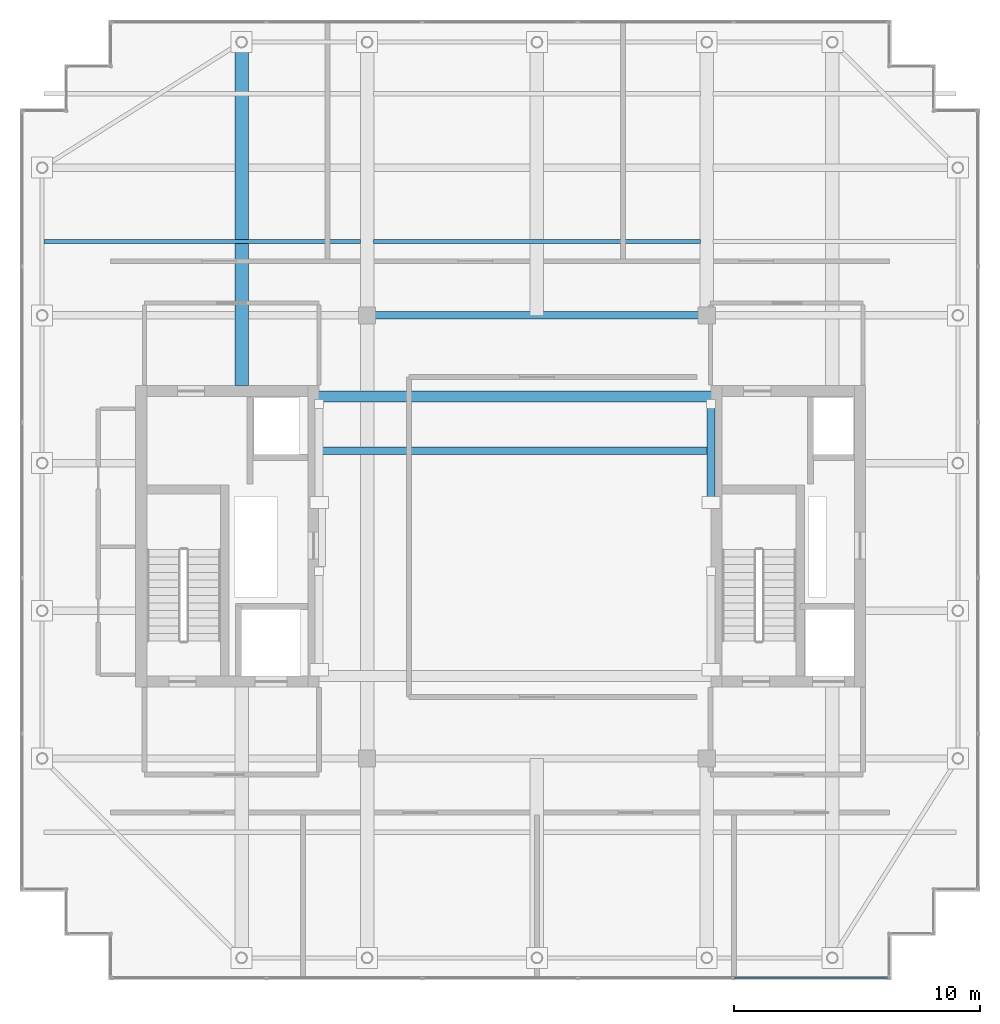
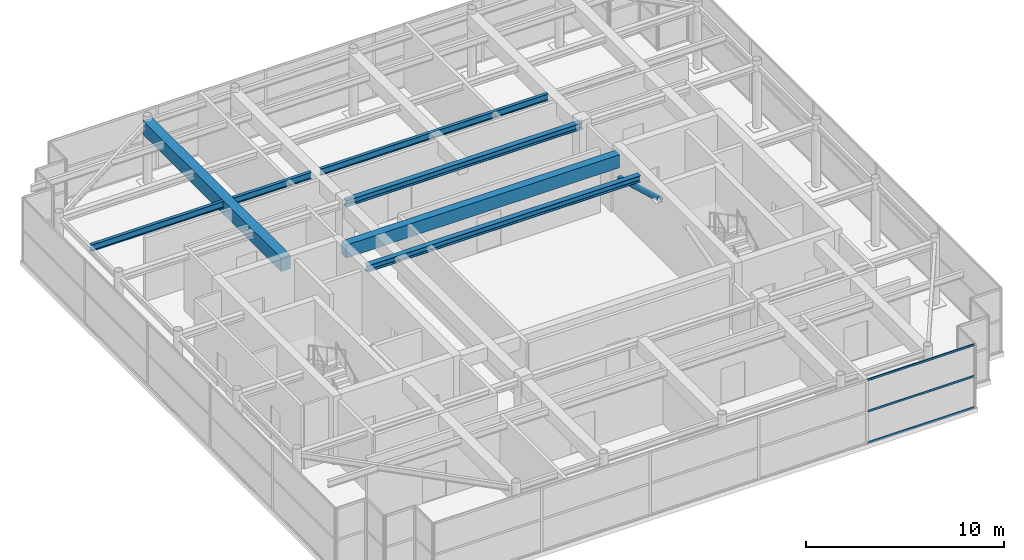
# One storey, part 14 of 32: 6 beams, 4 members, 1 element without a shape of its own.
"""IFC4 building model written with IfcOpenShell, lengths in metres."""

from ifc_helpers import new_model, si_unit, direction, frame, origin, origin_2d, place, context, subcontext, project, spatial, rectangle, hollow_rectangle, hollow_circle, i_section, extrude, source, transform, mapped, material, layer, layer_set, material_profile, profile_set, type_object, element, aggregate, save


model = new_model("IFC4")

# Units and contexts
model_context = context("Model", 3, precision=1e-05, world=origin(), true_north=direction((0.0, 1.0)))
body_context = subcontext(model_context, "Body", "Model", "MODEL_VIEW")
ifc_project = project(units=[si_unit("LENGTHUNIT", "METRE"), si_unit("AREAUNIT", "SQUARE_METRE"), si_unit("VOLUMEUNIT", "CUBIC_METRE"), si_unit("PLANEANGLEUNIT", "RADIAN"), si_unit("MASSUNIT", "GRAM", prefix="KILO")], contexts=[model_context])

# Site, building, storey
site_placement = place(None, origin())
site = spatial("IfcSite", under=ifc_project, at=site_placement, CompositionType="ELEMENT")
building_placement = place(site_placement, origin())
building = spatial("IfcBuilding", under=site, at=building_placement, Name="Khoralis Quay Care Tower", CompositionType="ELEMENT")
storey_placement = place(building_placement, frame((0.0, 0.0, 293.699951171875)))
storey = spatial("IfcBuildingStorey", under=building, at=storey_placement, Name="L77", CompositionType="ELEMENT", Elevation=293.699951171875)

# Beams
ifc_material_1 = material(Name="Concrete C50/60", Category="concrete")
ifc_material_profile_1 = material_profile(ifc_material_1, rectangle(XDim=0.449951171875, YDim=0.800048828125, at=origin_2d()), Name="Concrete C50/60")
ifc_profile_set_1 = profile_set([ifc_material_profile_1], Name="Concrete C50/60")
beam_type_1 = type_object("IfcBeamType", Name="CB-RC450X800", PredefinedType="LINTEL", material=ifc_profile_set_1)
shared_shape_1 = source(origin(), body_context, "Body", "SweptSolid", [
    extrude(rectangle(XDim=0.449951171875, YDim=0.800048828125, at=origin_2d()), origin(), (0.0, 0.0, 1.0), 15.97998046875),
])
beam_1_placement = place(storey_placement, frame((15.1201171875, 26.699951171875, 3.52001953125), z_axis=(1.0, 0.0, 0.0), x_axis=(0.0, 1.0, 0.0)))
element("IfcBeam", 1, at=beam_1_placement, inside=storey, type_object=beam_type_1, Name="L77 North Core Coupling Lintel", PredefinedType="LINTEL", context=body_context, shape_type="MappedRepresentation", body=[
    mapped(shared_shape_1, transform((0.0, 0.0, 0.0), scale=1.0)),
])
ifc_material_2 = material(Name="Steel S355", Category="steel")
ifc_material_profile_2 = material_profile(ifc_material_2, i_section(OverallWidth=0.177978515625, OverallDepth=0.406982421875, WebThickness=0.0078125, FlangeThickness=0.0126953125, FilletRadius=0.012939453125, at=origin_2d()), Name="Steel S355")
ifc_profile_set_2 = profile_set([ifc_material_profile_2], Name="Steel S355")
beam_type_2 = type_object("IfcBeamType", Name="BM-W410X60", PredefinedType="JOIST", material=ifc_profile_set_2)
shared_shape_2 = source(origin(), body_context, "Body", "SweptSolid", [
    extrude(i_section(OverallWidth=0.177978515625, OverallDepth=0.406982421875, WebThickness=0.0078125, FlangeThickness=0.0126953125, FilletRadius=0.012939453125, at=origin_2d()), origin(), (0.0, 0.0, 1.0), 12.865966796875),
])
beam_2_placement = place(storey_placement, frame((3.970947265625, 33.0, 3.716552734375), z_axis=(1.0, 0.0, 0.0), x_axis=(0.0, 1.0, 0.0)))
element("IfcBeam", 2, at=beam_2_placement, inside=storey, type_object=beam_type_2, Name="BM-TJS-L77-24", PredefinedType="JOIST", context=body_context, shape_type="MappedRepresentation", body=[
    mapped(shared_shape_2, transform((0.0, 0.0, 0.0), scale=1.0)),
])
ifc_material_profile_3 = material_profile(ifc_material_2, i_section(OverallWidth=0.300048828125, OverallDepth=0.39990234375, WebThickness=0.013427734375, FlangeThickness=0.02392578125, FilletRadius=0.027099609375, at=origin_2d()), Name="Steel S355")
ifc_profile_set_3 = profile_set([ifc_material_profile_3], Name="Steel S355")
beam_type_3 = type_object("IfcBeamType", Name="BM-HEB400", PredefinedType="BEAM", material=ifc_profile_set_3)
shared_shape_3 = source(origin(), body_context, "Body", "SweptSolid", [
    extrude(i_section(OverallWidth=0.300048828125, OverallDepth=0.39990234375, WebThickness=0.013427734375, FlangeThickness=0.02392578125, FilletRadius=0.027099609375, at=origin_2d()), origin(), (0.0, 0.0, 1.0), 13.7998046875),
])
beam_3_placement = place(storey_placement, frame((17.10009765625, 30.0, 3.719970703125), z_axis=(1.0, 0.0, 0.0), x_axis=(0.0, 1.0, 0.0)))
element("IfcBeam", 3, at=beam_3_placement, inside=storey, type_object=beam_type_3, Name="BM-TGCC-L77-300", PredefinedType="BEAM", context=body_context, shape_type="MappedRepresentation", body=[
    mapped(shared_shape_3, transform((0.0, 0.0, 0.0), scale=1.0)),
])
shared_shape_4 = source(origin(), body_context, "Body", "SweptSolid", [
    extrude(i_section(OverallWidth=0.177978515625, OverallDepth=0.406982421875, WebThickness=0.0078125, FlangeThickness=0.0126953125, FilletRadius=0.012939453125, at=origin_2d()), origin(), (0.0, 0.0, 1.0), 13.27392578125),
])
beam_4_placement = place(storey_placement, frame((17.363037109375, 33.0, 3.716552734375), z_axis=(1.0, 0.0, 0.0), x_axis=(0.0, 1.0, 0.0)))
element("IfcBeam", 4, at=beam_4_placement, inside=storey, type_object=beam_type_2, Name="BM-TJS-L77-26", PredefinedType="JOIST", context=body_context, shape_type="MappedRepresentation", body=[
    mapped(shared_shape_4, transform((0.0, 0.0, 0.0), scale=1.0)),
])
shared_shape_5 = source(origin(), body_context, "Body", "SweptSolid", [
    extrude(i_section(OverallWidth=0.300048828125, OverallDepth=0.39990234375, WebThickness=0.013427734375, FlangeThickness=0.02392578125, FilletRadius=0.027099609375, at=origin_2d()), origin(), (0.0, 0.0, 1.0), 15.924072265625),
])
beam_5_placement = place(storey_placement, frame((15.14794921875, 24.5, 3.719970703125), z_axis=(1.0, 0.0, 0.0), x_axis=(0.0, 1.0, 0.0)))
element("IfcBeam", 5, at=beam_5_placement, inside=storey, type_object=beam_type_3, Name="BM-TGCC-L77-245", PredefinedType="BEAM", context=body_context, shape_type="MappedRepresentation", body=[
    mapped(shared_shape_5, transform((0.0, 0.0, 0.0), scale=1.0)),
])
ifc_material_profile_4 = material_profile(ifc_material_1, rectangle(XDim=0.550048828125, YDim=0.85009765625, at=origin_2d()), Name="Concrete C50/60")
ifc_profile_set_4 = profile_set([ifc_material_profile_4], Name="Concrete C50/60")
beam_type_4 = type_object("IfcBeamType", Name="BM-RC550X850", PredefinedType="BEAM", material=ifc_profile_set_4)
shared_shape_6 = source(origin(), body_context, "Body", "SweptSolid", [
    extrude(rectangle(XDim=0.550048828125, YDim=0.85009765625, at=origin_2d()), origin(), (0.0, 0.0, 1.0), 13.9521484375),
])
beam_6_placement = place(storey_placement, frame((12.0, 27.14794921875, 3.4951171875), z_axis=(0.0, 1.0, 0.0), x_axis=(-1.0, 0.0, 0.0)))
element("IfcBeam", 6, at=beam_6_placement, inside=storey, type_object=beam_type_4, Name="BM-TGYN-L77-120", PredefinedType="BEAM", context=body_context, shape_type="MappedRepresentation", body=[
    mapped(shared_shape_6, transform((0.0, 0.0, 0.0), scale=1.0)),
])

# Member
ifc_material_profile_5 = material_profile(ifc_material_2, hollow_circle(Radius=0.161865234375, WallThickness=0.01611328125, at=origin_2d()), Name="Steel S355")
ifc_profile_set_5 = profile_set([ifc_material_profile_5], Name="Steel S355")
member_type_1 = type_object("IfcMemberType", Name="ST-CHS323X16", PredefinedType="STRUT", material=ifc_profile_set_5)
shared_shape_7 = source(origin(), body_context, "Body", "SweptSolid", [
    extrude(hollow_circle(Radius=0.161865234375, WallThickness=0.01611328125, at=origin_2d()), origin(), (0.0, 0.0, 1.0), 4.156494140625),
])
member_1_placement = place(storey_placement, frame((31.072021484375, 22.39990234375, 3.650146484375), z_axis=(0.0, 0.962328782221, -0.271888423639), x_axis=(-1.0, 0.0, 0.0)))
element("IfcMember", 7, at=member_1_placement, inside=storey, type_object=member_type_1, Name="L77 Lantern Diagrid Strut 4", PredefinedType="STRUT", context=body_context, shape_type="MappedRepresentation", body=[
    mapped(shared_shape_7, transform((0.0, 0.0, 0.0), scale=1.0)),
])

# Curtain wall, members
ifc_material_3 = material(Name="Pale anodised aluminium", Category="aluminium")
ifc_layer = layer(ifc_material_3, 0.199951171875)
ifc_layer_set = layer_set([ifc_layer], Name="Pale anodised aluminium")
curtain_wall_type = type_object("IfcCurtainWallType", Name="CW-SYS-LANTERN", PredefinedType="NOTDEFINED", material=ifc_layer_set)
curtain_wall_placement = place(storey_placement, origin())
curtain_wall = element("IfcCurtainWall", 8, at=curtain_wall_placement, inside=storey, type_object=curtain_wall_type, Name="L77 Unitised Curtain Wall CW-LN-L77-01", PredefinedType="NOTDEFINED")
ifc_material_profile_6 = material_profile(ifc_material_3, hollow_rectangle(XDim=0.054931640625, YDim=0.1201171875, WallThickness=0.00390625, at=origin_2d()), Name="Pale anodised aluminium")
ifc_profile_set_6 = profile_set([ifc_material_profile_6], Name="Pale anodised aluminium")
member_type_2 = type_object("IfcMemberType", Name="CW-TRN-120", PredefinedType="USERDEFINED", material=ifc_profile_set_6)
shared_shape_8 = source(origin(), body_context, "Body", "SweptSolid", [
    extrude(hollow_rectangle(XDim=0.054931640625, YDim=0.1201171875, WallThickness=0.00390625, at=origin_2d()), origin(), (0.0, 0.0, 1.0), 6.23388671875),
])
member_2_placement = place(storey_placement, frame((32.01611328125, 3.090087890625, 0.030029296875), z_axis=(1.0, 0.0, 0.0), x_axis=(0.0, 1.0, 0.0)))
member_2 = element("IfcMember", 9, at=member_2_placement, type_object=member_type_2, Name="CW5 transom 5.1", ObjectType="TRANSOM", PredefinedType="USERDEFINED", context=body_context, shape_type="MappedRepresentation", body=[
    mapped(shared_shape_8, transform((0.0, 0.0, 0.0), scale=1.0)),
])
member_3_placement = place(storey_placement, frame((32.01611328125, 3.090087890625, 1.9599609375), z_axis=(1.0, 0.0, 0.0), x_axis=(0.0, 1.0, 0.0)))
member_3 = element("IfcMember", 10, at=member_3_placement, type_object=member_type_2, Name="CW5 transom 5.2", ObjectType="TRANSOM", PredefinedType="USERDEFINED", context=body_context, shape_type="MappedRepresentation", body=[
    mapped(shared_shape_8, transform((0.0, 0.0, 0.0), scale=1.0)),
])
member_4_placement = place(storey_placement, frame((32.01611328125, 3.090087890625, 3.89013671875), z_axis=(1.0, 0.0, 0.0), x_axis=(0.0, 1.0, 0.0)))
member_4 = element("IfcMember", 11, at=member_4_placement, type_object=member_type_2, Name="CW5 transom 5.3", ObjectType="TRANSOM", PredefinedType="USERDEFINED", context=body_context, shape_type="MappedRepresentation", body=[
    mapped(shared_shape_8, transform((0.0, 0.0, 0.0), scale=1.0)),
])
aggregate(curtain_wall, [member_2, member_3, member_4])

save(model, "model.ifc")
